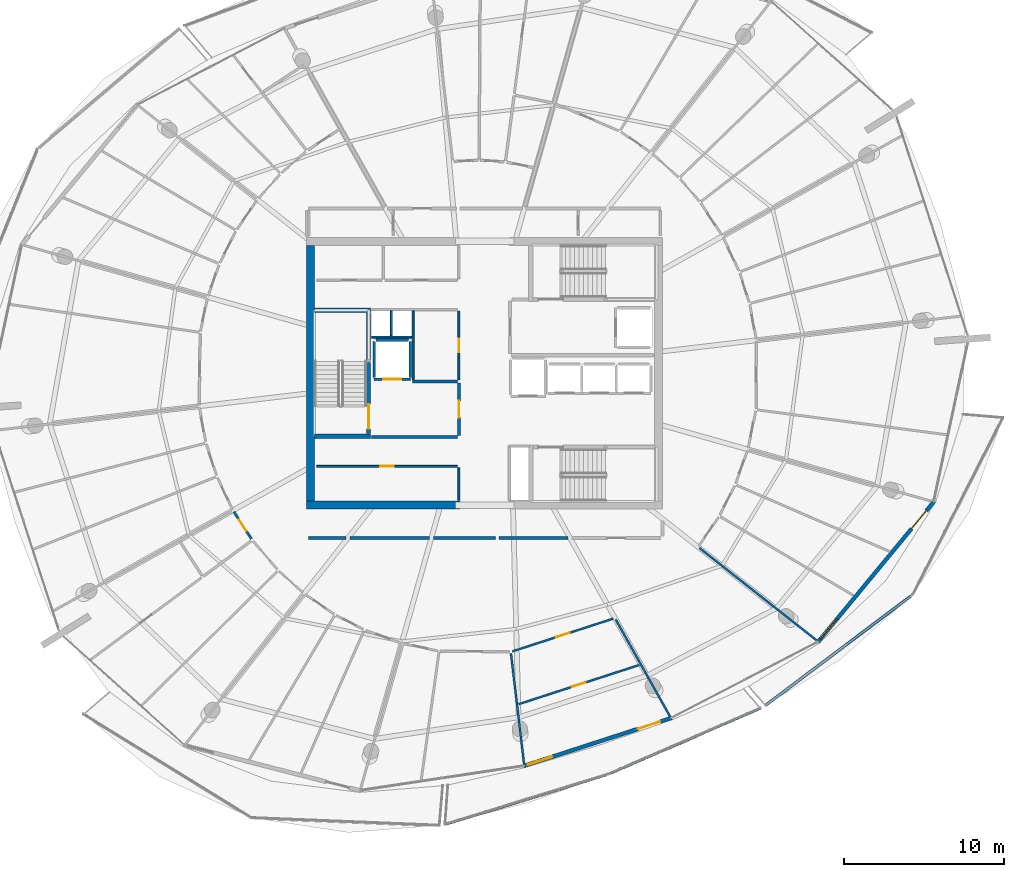
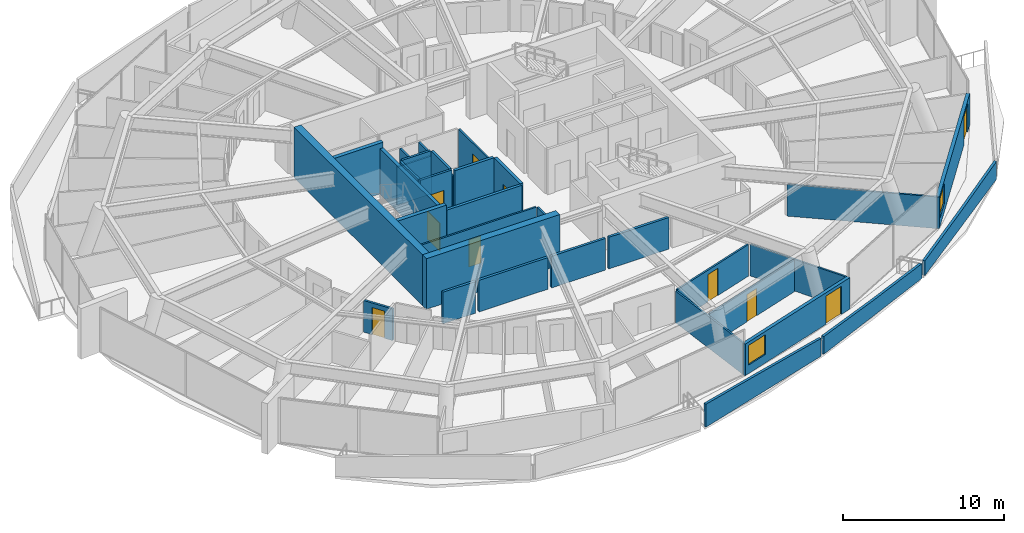
# One storey, part 19 of 30: 33 walls, 10 doors, 2 windows, 12 openings.
"""IFC4 building model written with IfcOpenShell, lengths in metres."""

from ifc_helpers import new_model, si_unit, direction, frame, frame_2d, origin, place, context, subcontext, project, spatial, polyline, rectangle, outline, extrude, material, layer, layer_set, type_object, element, fill, save


model = new_model("IFC4")

# Units and contexts
model_context = context("Model", 3, precision=1e-05, world=origin(), true_north=direction((0.0, 1.0)))
body_context = subcontext(model_context, "Body", "Model", "MODEL_VIEW")
ifc_project = project(units=[si_unit("LENGTHUNIT", "METRE"), si_unit("AREAUNIT", "SQUARE_METRE"), si_unit("VOLUMEUNIT", "CUBIC_METRE"), si_unit("PLANEANGLEUNIT", "RADIAN"), si_unit("MASSUNIT", "GRAM", prefix="KILO")], contexts=[model_context])

# Site, building, storey
site_placement = place(None, origin())
site = spatial("IfcSite", under=ifc_project, at=site_placement, CompositionType="ELEMENT")
building_placement = place(site_placement, origin())
building = spatial("IfcBuilding", under=site, at=building_placement, Name="Kazma Halo Residences", CompositionType="ELEMENT")
storey_placement = place(building_placement, frame((0.0, 0.0, 302.14990234375)))
storey = spatial("IfcBuildingStorey", under=building, at=storey_placement, Name="L76", CompositionType="ELEMENT", Elevation=302.14990234375)

# Walls
ifc_material_1 = material(Name="White Concrete C50/60 Balustrade", Category="concrete")
ifc_layer_1 = layer(ifc_material_1, 0.179931640625)
ifc_layer_set_1 = layer_set([ifc_layer_1], Name="White Concrete C50/60 Balustrade")
wall_type_1 = type_object("IfcWallType", Name="WL-BAL-WAVE-180", PredefinedType="PARAPET", material=ifc_layer_set_1)
wall_1_placement = place(storey_placement, frame((45.953369140625, 13.794189453125, 0.0), z_axis=(0.0, 0.0, 1.0), x_axis=(0.955884083791, 0.293744137565, 0.0)))
element("IfcWall", 1, at=wall_1_placement, inside=storey, type_object=wall_type_1, Name="L76 white wave balustrade wall SSE.1", PredefinedType="PARAPET", context=body_context, shape_type="SweptSolid", body=[
    extrude(outline(polyline([(0.0, 0.0), (10.543701171875, 0.0), (10.5439453125, 1.34814453125), (5.27197265625, 1.56201171875), (0.0, 1.7470703125), (0.0, 0.0)])), frame((0.0, 0.08984375, 0.0), z_axis=(0.0, -1.0, 0.0), x_axis=(1.0, 0.0, 0.0)), (0.0, 0.0, 1.0), 0.179931640625),
])
wall_2_placement = place(storey_placement, frame((56.2568359375, 16.974365234375, 0.0), z_axis=(0.0, 0.0, 1.0), x_axis=(0.917372888721, 0.398028872119, 0.0)))
element("IfcWall", 2, at=wall_2_placement, inside=storey, type_object=wall_type_1, Name="L76 white wave balustrade wall SSE.2", PredefinedType="PARAPET", context=body_context, shape_type="SweptSolid", body=[
    extrude(outline(polyline([(0.0, 0.0), (10.257568359375, 0.0), (10.25732421875, 1.1201171875), (5.128662109375, 1.18212890625), (0.0, 1.34814453125), (0.0, 0.0)])), frame((0.0, 0.08984375, 0.0), z_axis=(0.0, -1.0, 0.0), x_axis=(1.0, 0.0, 0.0)), (0.0, 0.0, 1.0), 0.179931640625),
])
wall_3_placement = place(storey_placement, frame((65.972412109375, 21.215576171875, 0.0), z_axis=(0.0, 0.0, 1.0), x_axis=(0.799146815098, 0.601135898046, 0.0)))
element("IfcWall", 3, at=wall_3_placement, inside=storey, type_object=wall_type_1, Name="L76 white wave balustrade wall SE.1", PredefinedType="PARAPET", context=body_context, shape_type="SweptSolid", body=[
    extrude(outline(polyline([(0.0, 0.0), (11.4111328125, 0.0), (11.4111328125, 1.34814453125), (5.70556640625, 1.18212890625), (0.0, 1.1201171875), (0.0, 0.0)])), frame((0.0, 0.08984375, 0.0), z_axis=(0.0, -1.0, 0.0), x_axis=(1.0, 0.0, 0.0)), (0.0, 0.0, 1.0), 0.179931640625),
])
ifc_material_2 = material(Name="Concrete C60/75", Category="concrete")
ifc_layer_2 = layer(ifc_material_2, 0.5)
ifc_layer_set_2 = layer_set([ifc_layer_2], Name="Concrete C60/75")
wall_type_2 = type_object("IfcWallType", Name="WL-CORE-500", PredefinedType="SHEAR", material=ifc_layer_set_2)
wall_4_placement = place(storey_placement, frame((37.300048828125, 33.75, 0.0), z_axis=(0.0, 0.0, 1.0), x_axis=(1.0, 0.0, 0.0)))
element("IfcWall", 4, at=wall_4_placement, inside=storey, type_object=wall_type_2, Name="L76 central core shear wall SW", PredefinedType="SHEAR", context=body_context, shape_type="SweptSolid", body=[
    extrude(rectangle(XDim=9.599853515625, YDim=0.5, at=frame_2d((4.7998046875, 0.0))), origin(), (0.0, 0.0, 1.0), 3.85009765625),
])
wall_5_placement = place(storey_placement, frame((37.550048828125, 34.0, 0.0), z_axis=(0.0, 0.0, 1.0), x_axis=(0.0, 1.0, 0.0)))
element("IfcWall", 5, at=wall_5_placement, inside=storey, type_object=wall_type_2, Name="L76 central core shear wall W", PredefinedType="SHEAR", context=body_context, shape_type="SweptSolid", body=[
    extrude(rectangle(XDim=16.0, YDim=0.5, at=frame_2d((8.0, 0.0))), origin(), (0.0, 0.0, 1.0), 3.85009765625),
])
ifc_layer_3 = layer(ifc_material_2, 0.280029296875)
ifc_layer_set_3 = layer_set([ifc_layer_3], Name="Concrete C60/75")
wall_type_3 = type_object("IfcWallType", Name="WL-CORE-ST-280", PredefinedType="SHEAR", material=ifc_layer_set_3)
for number, where, z_axis, x_axis, name in (
    (6, (37.800048828125, 38.06005859375, 0.0), (0.0, 0.0, 1.0), (1.0, 0.0, 0.0), "L76 stairwell bearing wall ST01-S"),
    (7, (37.800048828125, 45.93994140625, 0.0), (0.0, 0.0, 1.0), (1.0, 0.0, 0.0), "L76 stairwell bearing wall ST01-N"),
):
    element("IfcWall", number, at=place(storey_placement, frame(where, z_axis=z_axis, x_axis=x_axis)), inside=storey, type_object=wall_type_3, Name=name, PredefinedType="SHEAR", context=body_context, shape_type="SweptSolid", body=[
        extrude(rectangle(XDim=3.5, YDim=0.280029296875, at=frame_2d((1.75, 0.0))), origin(), (0.0, 0.0, 1.0), 3.85009765625),
    ])
ifc_material_3 = material(Name="Acoustic Twin-Stud Gypsum")
ifc_layer_4 = layer(ifc_material_3, 0.179931640625)
ifc_layer_set_4 = layer_set([ifc_layer_4], Name="Acoustic Twin-Stud Gypsum")
wall_type_4 = type_object("IfcWallType", Name="WL-DEM-180", PredefinedType="PARTITIONING", material=ifc_layer_set_4)
wall_6_placement = place(storey_placement, frame((37.419921875, 31.699951171875, 0.0), z_axis=(0.0, 0.0, 1.0), x_axis=(1.0, 0.0, 0.0)))
element("IfcWall", 8, at=wall_6_placement, inside=storey, type_object=wall_type_4, Name="L76 Apartment 2 inner wall 8", PredefinedType="PARTITIONING", context=body_context, shape_type="SweptSolid", body=[
    extrude(rectangle(XDim=2.340087890625, YDim=0.179931640625, at=frame_2d((1.169921875, 0.0))), origin(), (0.0, 0.0, 1.0), 2.406982421875),
])
wall_7_placement = place(storey_placement, frame((40.0, 31.699951171875, 0.0), z_axis=(0.0, 0.0, 1.0), x_axis=(1.0, 0.0, 0.0)))
element("IfcWall", 9, at=wall_7_placement, inside=storey, type_object=wall_type_4, Name="L76 Apartment 2 inner wall 9", PredefinedType="PARTITIONING", context=body_context, shape_type="SweptSolid", body=[
    extrude(rectangle(XDim=4.97509765625, YDim=0.179931640625, at=frame_2d((2.487548828125, 0.0))), origin(), (0.0, 0.0, 1.0), 2.406982421875),
])
wall_8_placement = place(storey_placement, frame((45.215087890625, 31.699951171875, 0.0), z_axis=(0.0, 0.0, 1.0), x_axis=(1.0, 0.0, 0.0)))
element("IfcWall", 10, at=wall_8_placement, inside=storey, type_object=wall_type_4, Name="L76 Apartment 2 inner wall 10", PredefinedType="PARTITIONING", context=body_context, shape_type="SweptSolid", body=[
    extrude(rectangle(XDim=3.884033203125, YDim=0.179931640625, at=frame_2d((1.94189453125, 0.0))), origin(), (0.0, 0.0, 1.0), 2.406982421875),
])
wall_9_placement = place(storey_placement, frame((49.339111328125, 31.699951171875, 0.0), z_axis=(0.0, 0.0, 1.0), x_axis=(1.0, 0.0, 0.0)))
element("IfcWall", 11, at=wall_9_placement, inside=storey, type_object=wall_type_4, Name="L76 Apartment 2 inner wall 11", PredefinedType="PARTITIONING", context=body_context, shape_type="SweptSolid", body=[
    extrude(rectangle(XDim=4.30908203125, YDim=0.179931640625, at=frame_2d((2.154541015625, 0.0))), origin(), (0.0, 0.0, 1.0), 2.406982421875),
])

# Wall, openings, door, window
ifc_material_4 = material(Name="Insulated Pale-Metal Composite Wall")
ifc_layer_5 = layer(ifc_material_4, 0.239990234375)
ifc_layer_set_5 = layer_set([ifc_layer_5], Name="Insulated Pale-Metal Composite Wall")
wall_type_5 = type_object("IfcWallType", Name="WL-EXT-HOST-240", PredefinedType="SOLIDWALL", material=ifc_layer_set_5)
wall_10_placement = place(storey_placement, frame((50.85791015625, 17.436279296875, 0.0), z_axis=(0.0, 0.0, 1.0), x_axis=(0.951055974609, 0.309018661507, 0.0)))
wall_10 = element("IfcWall", 12, at=wall_10_placement, inside=storey, type_object=wall_type_5, Name="L76 exterior terrace-access wall B12", PredefinedType="SOLIDWALL", context=body_context, shape_type="SweptSolid", body=[
    extrude(rectangle(XDim=9.745361328125, YDim=0.239990234375, at=frame_2d((4.87255859375, 0.0))), origin(), (0.0, 0.0, 1.0), 2.400146484375),
])
opening_1_placement = place(wall_10_placement, frame((7.525390625, 0.0, 0.0)))
opening_1 = element("IfcOpeningElement", 13, at=opening_1_placement, cuts=wall_10, Name="Opening DTR-1600", PredefinedType="OPENING", context=body_context, shape_type="SweptSolid", body=[
    extrude(rectangle(XDim=1.449951171875, YDim=2.14990234375, at=frame_2d((0.72509765625, 1.074951171875))), frame((0.0, 0.1298828125, 0.0), z_axis=(0.0, -1.0, 0.0), x_axis=(1.0, 0.0, 0.0)), (0.0, 0.0, 1.0), 0.260009765625),
])
opening_2_placement = place(wall_10_placement, frame((0.280029296875, 0.0, 0.64990234375)))
opening_2 = element("IfcOpeningElement", 14, at=opening_2_placement, cuts=wall_10, Name="Opening W-1800", PredefinedType="OPENING", context=body_context, shape_type="SweptSolid", body=[
    extrude(rectangle(XDim=1.60009765625, YDim=1.5, at=frame_2d((0.800048828125, 0.75))), frame((0.0, 0.1298828125, 0.0), z_axis=(0.0, -1.0, 0.0), x_axis=(1.0, 0.0, 0.0)), (0.0, 0.0, 1.0), 0.260009765625),
])
ifc_material_5 = material(Name="Aluminium AW-6063 T6 Double-Glazed Terrace Door", Category="aluminium")
door_type_1 = type_object("IfcDoorType", Name="DR-EXT-TERR-1600", OperationType="NOTDEFINED", PredefinedType="DOOR", material=ifc_material_5)
door_1_placement = place(opening_1_placement, origin())
door_1 = element("IfcDoor", 15, at=door_1_placement, inside=storey, type_object=door_type_1, Name="L76 B12 balcony terrace door", OperationType="DOUBLE_DOOR_SLIDING", OverallHeight=2.14990234375, OverallWidth=1.449951171875, PredefinedType="DOOR", context=body_context, shape_type="SweptSolid", body=[
    extrude(rectangle(XDim=1.449951171875, YDim=2.14990234375, at=frame_2d((0.72509765625, 1.074951171875))), frame((0.0, 0.02490234375, 0.0), z_axis=(0.0, -1.0, 0.0), x_axis=(1.0, 0.0, 0.0)), (0.0, 0.0, 1.0), 0.050048828125),
])
fill(opening_1, door_1)
ifc_material_6 = material(Name="Clear Triple-Silver Low-E Glass in Aluminium AW-6063 T6 Frame", Category="aluminium")
window_type = type_object("IfcWindowType", Name="WIN-RES-1800", PartitioningType="DOUBLE_PANEL_VERTICAL", PredefinedType="WINDOW", material=ifc_material_6)
window_1_placement = place(opening_2_placement, origin())
window_1 = element("IfcWindow", 16, at=window_1_placement, inside=storey, type_object=window_type, Name="L76 B12 apartment window", OverallHeight=1.5, OverallWidth=1.60009765625, PartitioningType="SINGLE_PANEL", PredefinedType="WINDOW", context=body_context, shape_type="SweptSolid", body=[
    extrude(rectangle(XDim=1.60009765625, YDim=1.5, at=frame_2d((0.800048828125, 0.75))), frame((0.0, 0.030029296875, 0.0), z_axis=(0.0, -1.0, 0.0), x_axis=(1.0, 0.0, 0.0)), (0.0, 0.0, 1.0), 0.06005859375),
])
fill(opening_2, window_1)

wall_11_placement = place(storey_placement, frame((69.2578125, 25.177978515625, 0.0), z_axis=(0.0, 0.0, 1.0), x_axis=(0.636680093065, 0.771128043255, 0.0)))
wall_11 = element("IfcWall", 17, at=wall_11_placement, inside=storey, type_object=wall_type_5, Name="L76 exterior terrace-access wall B14", PredefinedType="SOLIDWALL", context=body_context, shape_type="SweptSolid", body=[
    extrude(rectangle(XDim=11.438232421875, YDim=0.239990234375, at=frame_2d((5.71923828125, 0.0))), origin(), (0.0, 0.0, 1.0), 2.400146484375),
])
opening_3_placement = place(wall_11_placement, frame((9.21826171875, 0.0, 0.0)))
opening_3 = element("IfcOpeningElement", 18, at=opening_3_placement, cuts=wall_11, Name="Opening DTR-1600", PredefinedType="OPENING", context=body_context, shape_type="SweptSolid", body=[
    extrude(rectangle(XDim=1.449951171875, YDim=2.14990234375, at=frame_2d((0.72509765625, 1.074951171875))), frame((0.0, 0.1298828125, 0.0), z_axis=(0.0, -1.0, 0.0), x_axis=(1.0, 0.0, 0.0)), (0.0, 0.0, 1.0), 0.260009765625),
])
opening_4_placement = place(wall_11_placement, frame((0.280029296875, 0.0, 0.64990234375)))
opening_4 = element("IfcOpeningElement", 19, at=opening_4_placement, cuts=wall_11, Name="Opening W-1800", PredefinedType="OPENING", context=body_context, shape_type="SweptSolid", body=[
    extrude(rectangle(XDim=1.60009765625, YDim=1.5, at=frame_2d((0.800048828125, 0.75))), frame((0.0, 0.1298828125, 0.0), z_axis=(0.0, -1.0, 0.0), x_axis=(1.0, 0.0, 0.0)), (0.0, 0.0, 1.0), 0.260009765625),
])
door_2_placement = place(opening_3_placement, origin())
door_2 = element("IfcDoor", 20, at=door_2_placement, inside=storey, type_object=door_type_1, Name="L76 B14 balcony terrace door", OperationType="DOUBLE_DOOR_SLIDING", OverallHeight=2.14990234375, OverallWidth=1.449951171875, PredefinedType="DOOR", context=body_context, shape_type="SweptSolid", body=[
    extrude(rectangle(XDim=1.449951171875, YDim=2.14990234375, at=frame_2d((0.72509765625, 1.074951171875))), frame((0.0, 0.02490234375, 0.0), z_axis=(0.0, -1.0, 0.0), x_axis=(1.0, 0.0, 0.0)), (0.0, 0.0, 1.0), 0.050048828125),
])
fill(opening_3, door_2)
window_2_placement = place(opening_4_placement, origin())
window_2 = element("IfcWindow", 21, at=window_2_placement, inside=storey, type_object=window_type, Name="L76 B14 apartment window", OverallHeight=1.5, OverallWidth=1.60009765625, PartitioningType="SINGLE_PANEL", PredefinedType="WINDOW", context=body_context, shape_type="SweptSolid", body=[
    extrude(rectangle(XDim=1.60009765625, YDim=1.5, at=frame_2d((0.800048828125, 0.75))), frame((0.0, 0.030029296875, 0.0), z_axis=(0.0, -1.0, 0.0), x_axis=(1.0, 0.0, 0.0)), (0.0, 0.0, 1.0), 0.06005859375),
])
fill(opening_4, window_2)

# Wall, opening, door
ifc_material_7 = material(Name="Fire-Rated Blockwork Masonry", Category="masonry")
ifc_layer_6 = layer(ifc_material_7, 0.199951171875)
ifc_layer_set_6 = layer_set([ifc_layer_6], Name="Fire-Rated Blockwork Masonry")
wall_type_6 = type_object("IfcWallType", Name="WL-FLB-200", PredefinedType="PARTITIONING", material=ifc_layer_set_6)
wall_12_placement = place(storey_placement, frame((43.780029296875, 41.6201171875, 0.0), z_axis=(0.0, 0.0, 1.0), x_axis=(-1.0, 0.0, 0.0)))
wall_12 = element("IfcWall", 22, at=wall_12_placement, inside=storey, type_object=wall_type_6, Name="L76 lift shaft FL-01 front wall", PredefinedType="PARTITIONING", context=body_context, shape_type="SweptSolid", body=[
    extrude(rectangle(XDim=2.260009765625, YDim=0.159912109375, at=frame_2d((1.1298828125, 0.0))), origin(), (0.0, 0.0, 1.0), 3.4501953125),
])
opening_5_placement = place(wall_12_placement, frame((0.580078125, 0.0, 0.0)))
opening_5 = element("IfcOpeningElement", 23, at=opening_5_placement, cuts=wall_12, Name="Opening LD-FL-01", PredefinedType="OPENING", context=body_context, shape_type="SweptSolid", body=[
    extrude(rectangle(XDim=1.10009765625, YDim=2.10009765625, at=frame_2d((0.550048828125, 1.050048828125))), frame((0.0, 0.08984375, 0.0), z_axis=(0.0, -1.0, 0.0), x_axis=(1.0, 0.0, 0.0)), (0.0, 0.0, 1.0), 0.179931640625),
])
ifc_material_8 = material(Name="Stainless Steel Fire-Rated", Category="steel")
door_type_2 = type_object("IfcDoorType", Name="DR-LIFT-SLD-1100", OperationType="DOUBLE_DOOR_SLIDING", PredefinedType="DOOR", material=ifc_material_8)
door_3_placement = place(opening_5_placement, origin())
door_3 = element("IfcDoor", 24, at=door_3_placement, inside=storey, type_object=door_type_2, Name="L76 lift FL-01 sliding landing door", OperationType="DOUBLE_DOOR_SLIDING", OverallHeight=2.10009765625, OverallWidth=1.10009765625, PredefinedType="DOOR", context=body_context, shape_type="SweptSolid", body=[
    extrude(rectangle(XDim=1.10009765625, YDim=2.10009765625, at=frame_2d((0.550048828125, 1.050048828125))), frame((0.0, 0.02490234375, 0.0), z_axis=(0.0, -1.0, 0.0), x_axis=(1.0, 0.0, 0.0)), (0.0, 0.0, 1.0), 0.050048828125),
])
fill(opening_5, door_3)

# Walls
for number, where, z_axis, x_axis, name in (
    (25, (43.780029296875, 41.719970703125, 0.0), (0.0, 0.0, 1.0), (0.0, 1.0, 0.0), "L76 lift shaft FL-01 side wall E"),
    (26, (41.52001953125, 41.719970703125, 0.0), (0.0, 0.0, 1.0), (0.0, 1.0, 0.0), "L76 lift shaft FL-01 side wall W"),
):
    element("IfcWall", number, at=place(storey_placement, frame(where, z_axis=z_axis, x_axis=x_axis)), inside=storey, type_object=wall_type_6, Name=name, PredefinedType="PARTITIONING", context=body_context, shape_type="SweptSolid", body=[
        extrude(rectangle(XDim=2.260009765625, YDim=0.159912109375, at=frame_2d((1.1298828125, 0.0))), origin(), (0.0, 0.0, 1.0), 3.4501953125),
    ])
wall_13_placement = place(storey_placement, frame((41.6201171875, 44.080078125, 0.0), z_axis=(0.0, 0.0, 1.0), x_axis=(1.0, 0.0, 0.0)))
element("IfcWall", 27, at=wall_13_placement, inside=storey, type_object=wall_type_6, Name="L76 lift shaft FL-01 side wall N", PredefinedType="PARTITIONING", context=body_context, shape_type="SweptSolid", body=[
    extrude(rectangle(XDim=2.059814453125, YDim=0.159912109375, at=frame_2d((1.02978515625, 0.0))), origin(), (0.0, 0.0, 1.0), 3.4501953125),
])
wall_14_placement = place(storey_placement, frame((41.35009765625, 38.02001953125, 0.0), z_axis=(0.0, 0.0, 1.0), x_axis=(1.0, 0.0, 0.0)))
element("IfcWall", 28, at=wall_14_placement, inside=storey, type_object=wall_type_6, Name="L76 west firefighting lobby south smoke wall", PredefinedType="PARTITIONING", context=body_context, shape_type="SweptSolid", body=[
    extrude(rectangle(XDim=5.369873046875, YDim=0.199951171875, at=frame_2d((2.68505859375, 0.0))), origin(), (0.0, 0.0, 1.0), 3.4501953125),
])
wall_15_placement = place(storey_placement, frame((43.919921875, 41.47998046875, 0.0), z_axis=(0.0, 0.0, 1.0), x_axis=(1.0, 0.0, 0.0)))
element("IfcWall", 29, at=wall_15_placement, inside=storey, type_object=wall_type_6, Name="L76 west firefighting lobby north smoke wall", PredefinedType="PARTITIONING", context=body_context, shape_type="SweptSolid", body=[
    extrude(rectangle(XDim=2.800048828125, YDim=0.199951171875, at=frame_2d((1.39990234375, 0.0))), origin(), (0.0, 0.0, 1.0), 3.4501953125),
])

# Wall, opening, door
wall_16_placement = place(storey_placement, frame((46.820068359375, 38.1201171875, 0.0), z_axis=(0.0, 0.0, 1.0), x_axis=(0.0, 1.0, 0.0)))
wall_16 = element("IfcWall", 30, at=wall_16_placement, inside=storey, type_object=wall_type_6, Name="L76 west firefighting lobby smoke wall", PredefinedType="PARTITIONING", context=body_context, shape_type="SweptSolid", body=[
    extrude(rectangle(XDim=3.259765625, YDim=0.199951171875, at=frame_2d((1.6298828125, 0.0))), origin(), (0.0, 0.0, 1.0), 3.4501953125),
])
opening_6_placement = place(wall_16_placement, frame((1.10498046875, 0.0, 0.0)))
opening_6 = element("IfcOpeningElement", 31, at=opening_6_placement, cuts=wall_16, Name="Opening D-FLW", PredefinedType="OPENING", context=body_context, shape_type="SweptSolid", body=[
    extrude(rectangle(XDim=1.050048828125, YDim=2.10009765625, at=frame_2d((0.52490234375, 1.050048828125))), frame((0.0, 0.10986328125, 0.0), z_axis=(0.0, -1.0, 0.0), x_axis=(1.0, 0.0, 0.0)), (0.0, 0.0, 1.0), 0.219970703125),
])
ifc_material_9 = material(Name="Fire-Rated Steel Leaf", Category="steel")
door_type_3 = type_object("IfcDoorType", Name="DR-FD90-1050", OperationType="NOTDEFINED", PredefinedType="DOOR", material=ifc_material_9)
door_4_placement = place(opening_6_placement, origin())
door_4 = element("IfcDoor", 32, at=door_4_placement, inside=storey, type_object=door_type_3, Name="L76 west firefighting lobby smoke door", OperationType="SINGLE_SWING_LEFT", OverallHeight=2.10009765625, OverallWidth=1.050048828125, PredefinedType="DOOR", context=body_context, shape_type="SweptSolid", body=[
    extrude(rectangle(XDim=1.050048828125, YDim=2.10009765625, at=frame_2d((0.52490234375, 1.050048828125))), frame((0.0, 0.02490234375, 0.0), z_axis=(0.0, -1.0, 0.0), x_axis=(1.0, 0.0, 0.0)), (0.0, 0.0, 1.0), 0.050048828125),
])
fill(opening_6, door_4)

# Wall
ifc_material_10 = material(Name="Gypsum Plasterboard Partition")
ifc_layer_7 = layer(ifc_material_10, 0.125)
ifc_layer_set_7 = layer_set([ifc_layer_7], Name="Gypsum Plasterboard Partition")
wall_type_7 = type_object("IfcWallType", Name="WL-PART-125", PredefinedType="PARTITIONING", material=ifc_layer_set_7)
wall_17_placement = place(storey_placement, frame((46.820068359375, 34.050048828125, 0.0), z_axis=(0.0, 0.0, 1.0), x_axis=(0.0, 1.0, 0.0)))
element("IfcWall", 33, at=wall_17_placement, inside=storey, type_object=wall_type_7, Name="L76 reclaimed south east wall", PredefinedType="PARTITIONING", context=body_context, shape_type="SweptSolid", body=[
    extrude(rectangle(XDim=2.030029296875, YDim=0.125, at=frame_2d((1.01513671875, 0.0))), origin(), (0.0, 0.0, 1.0), 2.89013671875),
])

# Wall, opening, door
wall_18_placement = place(storey_placement, frame((37.919921875, 36.179931640625, 0.0), z_axis=(0.0, 0.0, 1.0), x_axis=(1.0, 0.0, 0.0)))
wall_18 = element("IfcWall", 34, at=wall_18_placement, inside=storey, type_object=wall_type_7, Name="L76 reclaimed south front wall", PredefinedType="PARTITIONING", context=body_context, shape_type="SweptSolid", body=[
    extrude(rectangle(XDim=8.800048828125, YDim=0.125, at=frame_2d((4.39990234375, 0.0))), origin(), (0.0, 0.0, 1.0), 2.89013671875),
])
opening_7_placement = place(wall_18_placement, frame((3.97509765625, 0.0, 0.0)))
opening_7 = element("IfcOpeningElement", 35, at=opening_7_placement, cuts=wall_18, Name="Opening DS-850", PredefinedType="OPENING", context=body_context, shape_type="SweptSolid", body=[
    extrude(rectangle(XDim=0.85009765625, YDim=2.06005859375, at=frame_2d((0.425048828125, 1.030029296875))), frame((0.0, 0.072509765625, 0.0), z_axis=(0.0, -1.0, 0.0), x_axis=(1.0, 0.0, 0.0)), (0.0, 0.0, 1.0), 0.14501953125),
])
ifc_material_11 = material(Name="Painted Steel Access Leaf", Category="steel")
door_type_4 = type_object("IfcDoorType", Name="DR-SVC-850", OperationType="NOTDEFINED", PredefinedType="DOOR", material=ifc_material_11)
door_5_placement = place(opening_7_placement, origin())
door_5 = element("IfcDoor", 36, at=door_5_placement, inside=storey, type_object=door_type_4, Name="L76 reclaimed south service door", OperationType="SINGLE_SWING_LEFT", OverallHeight=2.06005859375, OverallWidth=0.85009765625, PredefinedType="DOOR", context=body_context, shape_type="SweptSolid", body=[
    extrude(rectangle(XDim=0.85009765625, YDim=2.06005859375, at=frame_2d((0.425048828125, 1.030029296875))), frame((0.0, 0.02490234375, 0.0), z_axis=(0.0, -1.0, 0.0), x_axis=(1.0, 0.0, 0.0)), (0.0, 0.0, 1.0), 0.050048828125),
])
fill(opening_7, door_5)

# Walls
wall_19_placement = place(storey_placement, frame((41.360107421875, 44.260009765625, 0.0), z_axis=(0.0, 0.0, 1.0), x_axis=(1.0, 0.0, 0.0)))
element("IfcWall", 37, at=wall_19_placement, inside=storey, type_object=wall_type_7, Name="L76 core riser south wall", PredefinedType="PARTITIONING", context=body_context, shape_type="SweptSolid", body=[
    extrude(rectangle(XDim=2.5, YDim=0.125, at=frame_2d((1.25, 0.0))), origin(), (0.0, 0.0, 1.0), 2.89013671875),
])
wall_20_placement = place(storey_placement, frame((42.60009765625, 44.35009765625, 0.0), z_axis=(0.0, 0.0, 1.0), x_axis=(0.0, 1.0, 0.0)))
element("IfcWall", 38, at=wall_20_placement, inside=storey, type_object=wall_type_7, Name="L76 core riser divider wall", PredefinedType="PARTITIONING", context=body_context, shape_type="SweptSolid", body=[
    extrude(rectangle(XDim=1.5498046875, YDim=0.125, at=frame_2d((0.77490234375, 0.0))), origin(), (0.0, 0.0, 1.0), 2.89013671875),
])
wall_21_placement = place(storey_placement, frame((43.949951171875, 41.580078125, 0.0), z_axis=(0.0, 0.0, 1.0), x_axis=(0.0, 1.0, 0.0)))
element("IfcWall", 39, at=wall_21_placement, inside=storey, type_object=wall_type_7, Name="L76 core service west wall", PredefinedType="PARTITIONING", context=body_context, shape_type="SweptSolid", body=[
    extrude(rectangle(XDim=4.31982421875, YDim=0.125, at=frame_2d((2.159912109375, 0.0))), origin(), (0.0, 0.0, 1.0), 2.89013671875),
])

# Wall, opening, door
wall_22_placement = place(storey_placement, frame((46.820068359375, 41.580078125, 0.0), z_axis=(0.0, 0.0, 1.0), x_axis=(0.0, 1.0, 0.0)))
wall_22 = element("IfcWall", 40, at=wall_22_placement, inside=storey, type_object=wall_type_7, Name="L76 core service room east wall", PredefinedType="PARTITIONING", context=body_context, shape_type="SweptSolid", body=[
    extrude(rectangle(XDim=4.2998046875, YDim=0.125, at=frame_2d((2.14990234375, 0.0))), origin(), (0.0, 0.0, 1.0), 2.89013671875),
])
opening_8_placement = place(wall_22_placement, frame((1.72509765625, 0.0, 0.0)))
opening_8 = element("IfcOpeningElement", 41, at=opening_8_placement, cuts=wall_22, Name="Opening DS-850", PredefinedType="OPENING", context=body_context, shape_type="SweptSolid", body=[
    extrude(rectangle(XDim=0.85009765625, YDim=2.06005859375, at=frame_2d((0.425048828125, 1.030029296875))), frame((0.0, 0.072509765625, 0.0), z_axis=(0.0, -1.0, 0.0), x_axis=(1.0, 0.0, 0.0)), (0.0, 0.0, 1.0), 0.14501953125),
])
door_6_placement = place(opening_8_placement, origin())
door_6 = element("IfcDoor", 42, at=door_6_placement, inside=storey, type_object=door_type_4, Name="L76 core service room door", OperationType="SINGLE_SWING_LEFT", OverallHeight=2.06005859375, OverallWidth=0.85009765625, PredefinedType="DOOR", context=body_context, shape_type="SweptSolid", body=[
    extrude(rectangle(XDim=0.85009765625, YDim=2.06005859375, at=frame_2d((0.425048828125, 1.030029296875))), frame((0.0, 0.02490234375, 0.0), z_axis=(0.0, -1.0, 0.0), x_axis=(1.0, 0.0, 0.0)), (0.0, 0.0, 1.0), 0.050048828125),
])
fill(opening_8, door_6)

# Walls
wall_23_placement = place(storey_placement, frame((50.07421875, 24.476318359375, 0.0), z_axis=(0.0, 0.0, 1.0), x_axis=(0.117522488278, -0.993070221459, 0.0)))
element("IfcWall", 43, at=wall_23_placement, inside=storey, type_object=wall_type_7, Name="L76 Apartment 2 radial partition 11", PredefinedType="PARTITIONING", context=body_context, shape_type="SweptSolid", body=[
    extrude(rectangle(XDim=7.048583984375, YDim=0.125, at=frame_2d((3.5244140625, 0.0))), origin(), (0.0, 0.0, 1.0), 2.406982421875),
])
wall_24_placement = place(storey_placement, frame((56.622314453125, 26.60400390625, 0.0), z_axis=(0.0, 0.0, 1.0), x_axis=(0.488617277218, -0.872498227164, 0.0)))
element("IfcWall", 44, at=wall_24_placement, inside=storey, type_object=wall_type_7, Name="L76 Apartment 2 living radial partition 11", PredefinedType="PARTITIONING", context=body_context, shape_type="SweptSolid", body=[
    extrude(rectangle(XDim=6.94873046875, YDim=0.125, at=frame_2d((3.474365234375, 0.0))), origin(), (0.0, 0.0, 1.0), 2.406982421875),
])

# Wall, opening, door
wall_25_placement = place(storey_placement, frame((50.1669921875, 24.609619140625, 0.0), z_axis=(0.0, 0.0, 1.0), x_axis=(0.951054645086, 0.309022753306, 0.0)))
wall_25 = element("IfcWall", 45, at=wall_25_placement, inside=storey, type_object=wall_type_7, Name="L76 Apartment 2 Secondary Study hall wall", PredefinedType="PARTITIONING", context=body_context, shape_type="SweptSolid", body=[
    extrude(rectangle(XDim=6.6259765625, YDim=0.125, at=frame_2d((3.31298828125, 0.0))), origin(), (0.0, 0.0, 1.0), 2.406982421875),
])
opening_9_placement = place(wall_25_placement, frame((2.863037109375, 0.0, 0.0)))
opening_9 = element("IfcOpeningElement", 46, at=opening_9_placement, cuts=wall_25, Name="Opening DI-950", PredefinedType="OPENING", context=body_context, shape_type="SweptSolid", body=[
    extrude(rectangle(XDim=0.89990234375, YDim=2.080078125, at=frame_2d((0.449951171875, 1.0400390625))), frame((0.0, 0.072509765625, 0.0), z_axis=(0.0, -1.0, 0.0), x_axis=(1.0, 0.0, 0.0)), (0.0, 0.0, 1.0), 0.14501953125),
])
ifc_material_12 = material(Name="Timber Veneer Flush Leaf", Category="wood")
door_type_5 = type_object("IfcDoorType", Name="DR-INT-950", OperationType="NOTDEFINED", PredefinedType="DOOR", material=ifc_material_12)
door_7_placement = place(opening_9_placement, origin())
door_7 = element("IfcDoor", 47, at=door_7_placement, inside=storey, type_object=door_type_5, Name="L76 Apartment 2 Secondary Study door", OperationType="SINGLE_SWING_RIGHT", OverallHeight=2.080078125, OverallWidth=0.89990234375, PredefinedType="DOOR", context=body_context, shape_type="SweptSolid", body=[
    extrude(rectangle(XDim=0.89990234375, YDim=2.080078125, at=frame_2d((0.449951171875, 1.0400390625))), frame((0.0, 0.02490234375, 0.0), z_axis=(0.0, -1.0, 0.0), x_axis=(1.0, 0.0, 0.0)), (0.0, 0.0, 1.0), 0.050048828125),
])
fill(opening_9, door_7)

wall_26_placement = place(storey_placement, frame((50.5576171875, 21.30859375, 0.0), z_axis=(0.0, 0.0, 1.0), x_axis=(0.951053314329, 0.309026848839, 0.0)))
wall_26 = element("IfcWall", 48, at=wall_26_placement, inside=storey, type_object=wall_type_7, Name="L76 Apartment 2 East Bedroom divider wall", PredefinedType="PARTITIONING", context=body_context, shape_type="SweptSolid", body=[
    extrude(rectangle(XDim=7.923095703125, YDim=0.125, at=frame_2d((3.96142578125, 0.0))), origin(), (0.0, 0.0, 1.0), 2.406982421875),
])
opening_10_placement = place(wall_26_placement, frame((3.511474609375, 0.0, 0.0)))
opening_10 = element("IfcOpeningElement", 49, at=opening_10_placement, cuts=wall_26, Name="Opening DI-950", PredefinedType="OPENING", context=body_context, shape_type="SweptSolid", body=[
    extrude(rectangle(XDim=0.89990234375, YDim=2.080078125, at=frame_2d((0.449951171875, 1.0400390625))), frame((0.0, 0.072509765625, 0.0), z_axis=(0.0, -1.0, 0.0), x_axis=(1.0, 0.0, 0.0)), (0.0, 0.0, 1.0), 0.14501953125),
])
door_8_placement = place(opening_10_placement, origin())
door_8 = element("IfcDoor", 50, at=door_8_placement, inside=storey, type_object=door_type_5, Name="L76 Apartment 2 East Bedroom door", OperationType="SINGLE_SWING_LEFT", OverallHeight=2.080078125, OverallWidth=0.89990234375, PredefinedType="DOOR", context=body_context, shape_type="SweptSolid", body=[
    extrude(rectangle(XDim=0.89990234375, YDim=2.080078125, at=frame_2d((0.449951171875, 1.0400390625))), frame((0.0, 0.02490234375, 0.0), z_axis=(0.0, -1.0, 0.0), x_axis=(1.0, 0.0, 0.0)), (0.0, 0.0, 1.0), 0.050048828125),
])
fill(opening_10, door_8)

# Wall
wall_27_placement = place(storey_placement, frame((61.857666015625, 31.075439453125, 0.0), z_axis=(0.0, 0.0, 1.0), x_axis=(0.785325513659, -0.619083061952, 0.0)))
element("IfcWall", 51, at=wall_27_placement, inside=storey, type_object=wall_type_7, Name="L76 Apartment 2 radial partition 13", PredefinedType="PARTITIONING", context=body_context, shape_type="SweptSolid", body=[
    extrude(rectangle(XDim=9.4384765625, YDim=0.125, at=frame_2d((4.71923828125, 0.0))), origin(), (0.0, 0.0, 1.0), 2.406982421875),
])

# Wall, opening, door
ifc_material_13 = material(Name="Concrete C50/60", Category="concrete")
ifc_layer_8 = layer(ifc_material_13, 0.25)
ifc_layer_set_8 = layer_set([ifc_layer_8], Name="Concrete C50/60")
wall_type_8 = type_object("IfcWallType", Name="WL-SHF-250", PredefinedType="SOLIDWALL", material=ifc_layer_set_8)
wall_28_placement = place(storey_placement, frame((41.179931640625, 38.219970703125, 0.0), z_axis=(0.0, 0.0, 1.0), x_axis=(0.0, 1.0, 0.0)))
wall_28 = element("IfcWall", 52, at=wall_28_placement, inside=storey, type_object=wall_type_8, Name="L76 exit stair ST-01 enclosure wall", PredefinedType="SOLIDWALL", context=body_context, shape_type="SweptSolid", body=[
    extrude(rectangle(XDim=7.56005859375, YDim=0.25, at=frame_2d((3.780029296875, 0.0))), origin(), (0.0, 0.0, 1.0), 3.4501953125),
])
opening_11_placement = place(wall_28_placement, frame((0.300048828125, 0.0, 0.0)))
opening_11 = element("IfcOpeningElement", 53, at=opening_11_placement, cuts=wall_28, Name="Opening D-ST1", PredefinedType="OPENING", context=body_context, shape_type="SweptSolid", body=[
    extrude(rectangle(XDim=1.550048828125, YDim=2.14990234375, at=frame_2d((0.77490234375, 1.074951171875))), frame((0.0, 0.135009765625, 0.0), z_axis=(0.0, -1.0, 0.0), x_axis=(1.0, 0.0, 0.0)), (0.0, 0.0, 1.0), 0.27001953125),
])
ifc_material_14 = material(Name="Fire-Rated Double Steel Leaf", Category="steel")
door_type_6 = type_object("IfcDoorType", Name="DR-FD90-1550", OperationType="NOTDEFINED", PredefinedType="DOOR", material=ifc_material_14)
door_9_placement = place(opening_11_placement, origin())
door_9 = element("IfcDoor", 54, at=door_9_placement, inside=storey, type_object=door_type_6, Name="L76 exit stair ST-01 fire door", OperationType="DOUBLE_DOOR_SINGLE_SWING", OverallHeight=2.14990234375, OverallWidth=1.550048828125, PredefinedType="DOOR", context=body_context, shape_type="SweptSolid", body=[
    extrude(rectangle(XDim=1.550048828125, YDim=2.14990234375, at=frame_2d((0.77490234375, 1.074951171875))), frame((0.0, 0.02490234375, 0.0), z_axis=(0.0, -1.0, 0.0), x_axis=(1.0, 0.0, 0.0)), (0.0, 0.0, 1.0), 0.050048828125),
])
fill(opening_11, door_9)

ifc_material_15 = material(Name="Moisture-Resistant Gypsum")
ifc_layer_9 = layer(ifc_material_15, 0.14990234375)
ifc_layer_set_9 = layer_set([ifc_layer_9], Name="Moisture-Resistant Gypsum")
wall_type_9 = type_object("IfcWallType", Name="WL-WET-150", PredefinedType="PARTITIONING", material=ifc_layer_set_9)
wall_29_placement = place(storey_placement, frame((32.74560546875, 33.3427734375, 0.0), z_axis=(0.0, 0.0, 1.0), x_axis=(0.542691857116, -0.839931871178, 0.0)))
wall_29 = element("IfcWall", 55, at=wall_29_placement, inside=storey, type_object=wall_type_9, Name="L76 Apartment 2 East En-Suite Bathroom hall wall", PredefinedType="PARTITIONING", context=body_context, shape_type="SweptSolid", body=[
    extrude(rectangle(XDim=2.027099609375, YDim=0.14990234375, at=frame_2d((1.013671875, 0.0))), origin(), (0.0, 0.0, 1.0), 2.406982421875),
])
opening_12_placement = place(wall_29_placement, frame((0.588623046875, 0.0, 0.0)))
opening_12 = element("IfcOpeningElement", 56, at=opening_12_placement, cuts=wall_29, Name="Opening DB-900", PredefinedType="OPENING", context=body_context, shape_type="SweptSolid", body=[
    extrude(rectangle(XDim=0.85009765625, YDim=2.06005859375, at=frame_2d((0.425048828125, 1.030029296875))), frame((0.0, 0.0849609375, 0.0), z_axis=(0.0, -1.0, 0.0), x_axis=(1.0, 0.0, 0.0)), (0.0, 0.0, 1.0), 0.169921875),
])
ifc_material_16 = material(Name="Moisture-Sealed Timber Leaf", Category="wood")
door_type_7 = type_object("IfcDoorType", Name="DR-BTH-900", OperationType="NOTDEFINED", PredefinedType="DOOR", material=ifc_material_16)
door_10_placement = place(opening_12_placement, origin())
door_10 = element("IfcDoor", 57, at=door_10_placement, inside=storey, type_object=door_type_7, Name="L76 Apartment 2 East En-Suite Bathroom door", OperationType="SINGLE_SWING_LEFT", OverallHeight=2.06005859375, OverallWidth=0.85009765625, PredefinedType="DOOR", context=body_context, shape_type="SweptSolid", body=[
    extrude(rectangle(XDim=0.85009765625, YDim=2.06005859375, at=frame_2d((0.425048828125, 1.030029296875))), frame((0.0, 0.02490234375, 0.0), z_axis=(0.0, -1.0, 0.0), x_axis=(1.0, 0.0, 0.0)), (0.0, 0.0, 1.0), 0.050048828125),
])
fill(opening_12, door_10)

save(model, "model.ifc")
